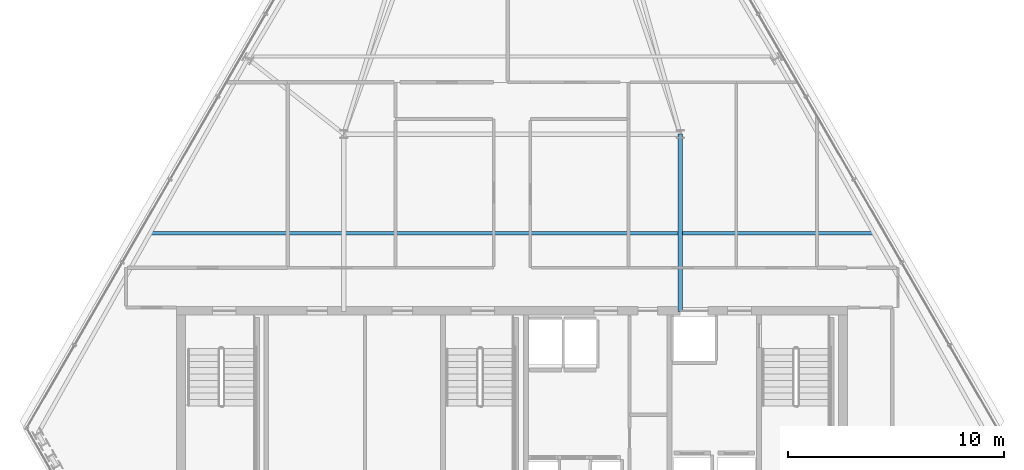
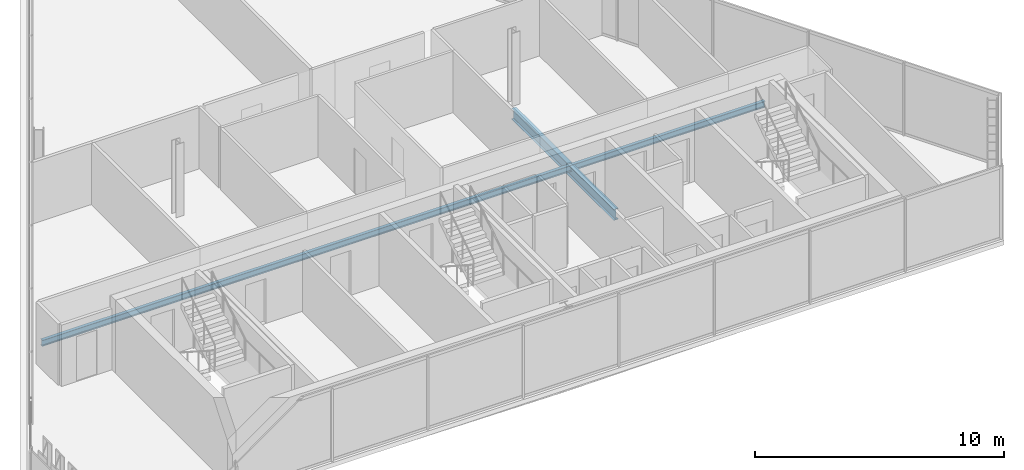
# One storey, part 12 of 35: 2 beams.
"""IFC4 building model written with IfcOpenShell, lengths in metres."""

from ifc_helpers import new_model, si_unit, direction, frame, origin, origin_2d, place, context, subcontext, project, spatial, i_section, extrude, material, material_profile, profile_set, type_object, element, save


model = new_model("IFC4")

# Units and contexts
model_context = context("Model", 3, precision=1e-05, world=origin(), true_north=direction((0.0, 1.0)))
body_context = subcontext(model_context, "Body", "Model", "MODEL_VIEW")
ifc_project = project(units=[si_unit("LENGTHUNIT", "METRE"), si_unit("AREAUNIT", "SQUARE_METRE"), si_unit("VOLUMEUNIT", "CUBIC_METRE"), si_unit("PLANEANGLEUNIT", "RADIAN"), si_unit("MASSUNIT", "GRAM", prefix="KILO")], contexts=[model_context])

# Site, building, storey
site_placement = place(None, origin())
site = spatial("IfcSite", under=ifc_project, at=site_placement, CompositionType="ELEMENT")
building_placement = place(site_placement, origin())
building = spatial("IfcBuilding", under=site, at=building_placement, Name="Ndaravel Arena Tower", CompositionType="ELEMENT")
storey_placement = place(building_placement, frame((0.0, 0.0, 271.199951171875)))
storey = spatial("IfcBuildingStorey", under=building, at=storey_placement, Name="L66", CompositionType="ELEMENT", Elevation=271.199951171875)

# Beams
ifc_material_1 = material(Name="Steel S355", Category="steel")
ifc_material_profile_1 = material_profile(ifc_material_1, i_section(OverallWidth=0.210693359375, OverallDepth=0.53955078125, WebThickness=0.01171875, FlangeThickness=0.018798828125, FilletRadius=0.0126953125, at=origin_2d()), Name="UB 533x210x109")
ifc_profile_set_1 = profile_set([ifc_material_profile_1], Name="Steel S355")
beam_type_1 = type_object("IfcBeamType", Name="BM-GIRD-UB533", PredefinedType="BEAM", material=ifc_profile_set_1)
beam_1_placement = place(storey_placement, frame((49.800048828125, 14.97998046875, -0.48974609375), z_axis=(0.0, 1.0, 0.0), x_axis=(-1.0, 0.0, 0.0)))
element("IfcBeam", 1, at=beam_1_placement, inside=storey, type_object=beam_type_1, Name="L66 Spine Link Girder SLG-02", PredefinedType="BEAM", context=body_context, shape_type="SweptSolid", body=[
    extrude(i_section(OverallWidth=0.210693359375, OverallDepth=0.53955078125, WebThickness=0.01171875, FlangeThickness=0.018798828125, FilletRadius=0.0126953125, at=origin_2d()), origin(), (0.0, 0.0, 1.0), 8.219970703125),
])
ifc_material_2 = material(Name="Steel S355", Category="steel")
ifc_material_profile_2 = material_profile(ifc_material_2, i_section(OverallWidth=0.14990234375, OverallDepth=0.300048828125, WebThickness=0.007080078125, FlangeThickness=0.0107421875, FilletRadius=0.014892578125, at=origin_2d()), Name="IPE 300")
ifc_profile_set_2 = profile_set([ifc_material_profile_2], Name="Steel S355")
beam_type_2 = type_object("IfcBeamType", Name="BM-JOIST-IPE300", PredefinedType="JOIST", material=ifc_profile_set_2)
beam_2_placement = place(storey_placement, frame((25.2177734375, 18.60009765625, -0.369873046875), z_axis=(1.0, 0.0, 0.0), x_axis=(0.0, 1.0, 0.0)))
element("IfcBeam", 2, at=beam_2_placement, inside=storey, type_object=beam_type_2, Name="L66 Composite Floor Joist FJ-01", PredefinedType="JOIST", context=body_context, shape_type="SweptSolid", body=[
    extrude(i_section(OverallWidth=0.14990234375, OverallDepth=0.300048828125, WebThickness=0.007080078125, FlangeThickness=0.0107421875, FilletRadius=0.014892578125, at=origin_2d()), origin(), (0.0, 0.0, 1.0), 33.564453125),
])

save(model, "model.ifc")
